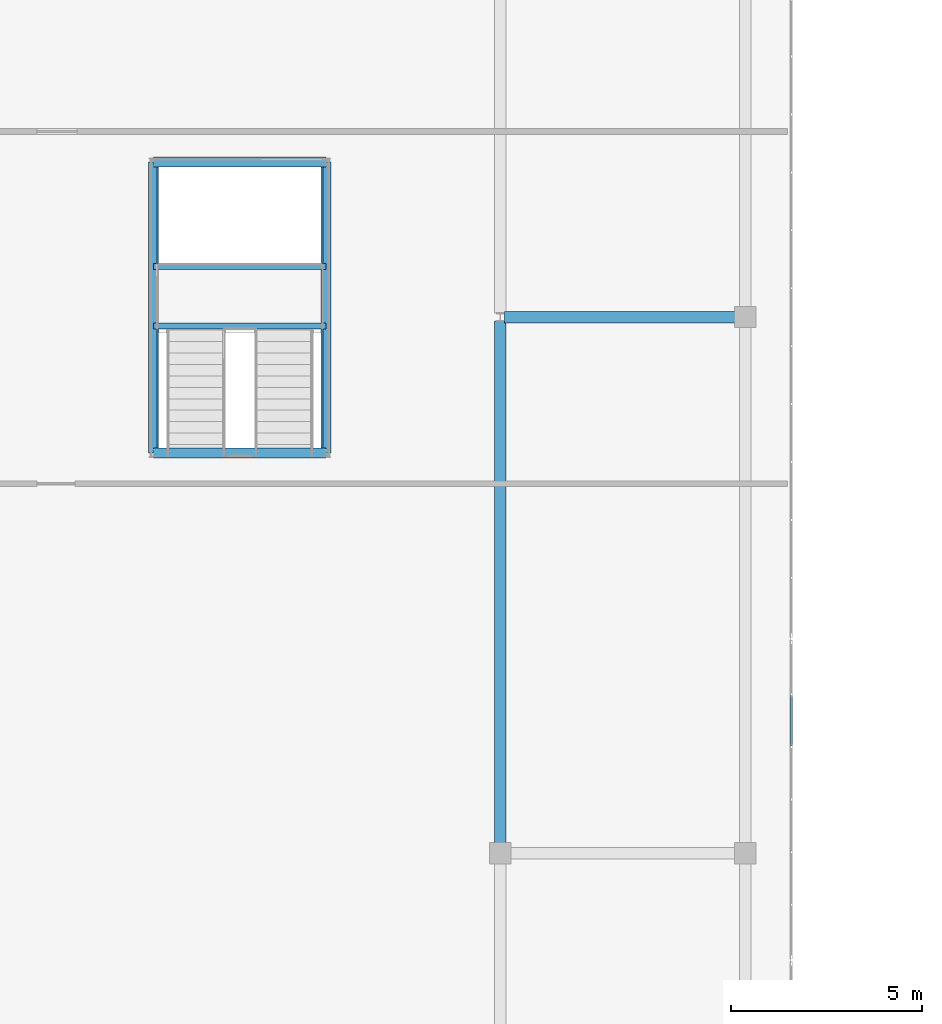
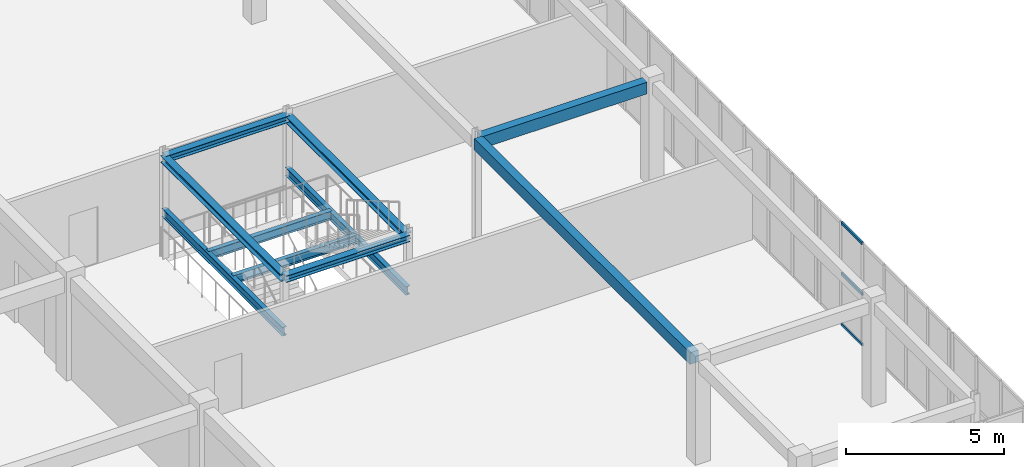
# One storey, part 43 of 140: 10 beams, 3 members, 1 element without a shape of its own.
"""IFC4 building model written with IfcOpenShell, lengths in metres."""

from ifc_helpers import new_model, si_unit, direction, frame, origin, origin_2d, place, context, subcontext, project, spatial, rectangle, hollow_rectangle, i_section, extrude, material, layer, layer_set, material_profile, profile_set, type_object, element, aggregate, save


model = new_model("IFC4")

# Units and contexts
model_context = context("Model", 3, precision=1e-05, world=origin(), true_north=direction((0.0, 1.0)))
body_context = subcontext(model_context, "Body", "Model", "MODEL_VIEW")
ifc_project = project(units=[si_unit("LENGTHUNIT", "METRE"), si_unit("AREAUNIT", "SQUARE_METRE"), si_unit("VOLUMEUNIT", "CUBIC_METRE"), si_unit("PLANEANGLEUNIT", "RADIAN"), si_unit("MASSUNIT", "GRAM", prefix="KILO")], contexts=[model_context])

# Site, building, storey
site_placement = place(None, origin())
site = spatial("IfcSite", under=ifc_project, at=site_placement, CompositionType="ELEMENT")
building_placement = place(site_placement, origin())
building = spatial("IfcBuilding", under=site, at=building_placement, Name="Trelvath General Hospital", CompositionType="ELEMENT")
storey_placement = place(building_placement, frame((0.0, 0.0, 16.199951171875)))
storey = spatial("IfcBuildingStorey", under=building, at=storey_placement, Name="L04", CompositionType="ELEMENT", Elevation=16.199951171875)

# Beams
ifc_material_1 = material(Name="Concrete C35/45", Category="concrete")
ifc_material_profile_1 = material_profile(ifc_material_1, rectangle(XDim=0.300048828125, YDim=0.449951171875, at=origin_2d()), Name="RCB300x450")
ifc_profile_set_1 = profile_set([ifc_material_profile_1], Name="Concrete C35/45")
beam_type_1 = type_object("IfcBeamType", Name="Beam RC300x450", PredefinedType="BEAM", material=ifc_profile_set_1)
beam_1_placement = place(storey_placement, frame((107.305908203125, 58.800048828125, 3.735107421875), z_axis=(1.0, 0.0, 0.0), x_axis=(0.0, 1.0, 0.0)))
element("IfcBeam", 1, at=beam_1_placement, inside=storey, type_object=beam_type_1, Name="Cube Interior Ring Beam CUBE-E-T1 L04", PredefinedType="BEAM", context=body_context, shape_type="SweptSolid", body=[
    extrude(rectangle(XDim=0.300048828125, YDim=0.449951171875, at=origin_2d()), origin(), (0.0, 0.0, 1.0), 6.023193359375),
])
beam_2_placement = place(storey_placement, frame((107.199951171875, 45.071044921875, 3.735107421875), z_axis=(0.0, 1.0, 0.0), x_axis=(-1.0, 0.0, 0.0)))
element("IfcBeam", 2, at=beam_2_placement, inside=storey, type_object=beam_type_1, Name="Cube Interior Ring Beam CUBE-E-T1 L04", PredefinedType="BEAM", context=body_context, shape_type="SweptSolid", body=[
    extrude(rectangle(XDim=0.300048828125, YDim=0.449951171875, at=origin_2d()), origin(), (0.0, 0.0, 1.0), 13.623046875),
])

# Curtain wall, members
ifc_material_2 = material(Name="Anodised aluminium and low-E glass", Category="aluminium")
ifc_layer = layer(ifc_material_2, 0.139892578125)
ifc_layer_set = layer_set([ifc_layer], Name="Anodised aluminium and low-E glass")
curtain_wall_type = type_object("IfcCurtainWallType", Name="CW CrystalCube 824 396 14", PredefinedType="USERDEFINED", material=ifc_layer_set)
curtain_wall_placement = place(storey_placement, origin())
curtain_wall = element("IfcCurtainWall", 3, at=curtain_wall_placement, inside=storey, type_object=curtain_wall_type, Name="Crystal Cube Curtain Wall CUBE-E-T1 E2 L04", ObjectType="Unitised Glazed Curtain Wall", PredefinedType="USERDEFINED")
ifc_material_3 = material(Name="Anodised aluminium", Category="aluminium")
ifc_material_profile_2 = material_profile(ifc_material_3, hollow_rectangle(XDim=0.06005859375, YDim=0.110107421875, WallThickness=0.00390625, at=origin_2d()), Name="RHS60x110x4")
ifc_profile_set_2 = profile_set([ifc_material_profile_2], Name="Anodised aluminium")
member_type = type_object("IfcMemberType", Name="CurtainTransom 60x110", PredefinedType="USERDEFINED", material=ifc_profile_set_2)
member_1_placement = place(storey_placement, frame((114.800048828125, 48.916748046875, 0.030029296875), z_axis=(0.0, -1.0, 0.0), x_axis=(1.0, 0.0, 0.0)))
member_1 = element("IfcMember", 4, at=member_1_placement, type_object=member_type, Name="CW-290 transom 2.1", ObjectType="TRANSOM", PredefinedType="USERDEFINED", context=body_context, shape_type="SweptSolid", body=[
    extrude(hollow_rectangle(XDim=0.06005859375, YDim=0.110107421875, WallThickness=0.00390625, at=origin_2d()), origin(), (0.0, 0.0, 1.0), 1.3134765625),
])
member_2_placement = place(storey_placement, frame((114.800048828125, 48.916748046875, 1.97998046875), z_axis=(0.0, -1.0, 0.0), x_axis=(1.0, 0.0, 0.0)))
member_2 = element("IfcMember", 5, at=member_2_placement, type_object=member_type, Name="CW-290 transom 2.2", ObjectType="TRANSOM", PredefinedType="USERDEFINED", context=body_context, shape_type="SweptSolid", body=[
    extrude(hollow_rectangle(XDim=0.06005859375, YDim=0.110107421875, WallThickness=0.00390625, at=origin_2d()), origin(), (0.0, 0.0, 1.0), 1.3134765625),
])
member_3_placement = place(storey_placement, frame((114.800048828125, 48.916748046875, 3.929931640625), z_axis=(0.0, -1.0, 0.0), x_axis=(1.0, 0.0, 0.0)))
member_3 = element("IfcMember", 6, at=member_3_placement, type_object=member_type, Name="CW-290 transom 2.3", ObjectType="TRANSOM", PredefinedType="USERDEFINED", context=body_context, shape_type="SweptSolid", body=[
    extrude(hollow_rectangle(XDim=0.06005859375, YDim=0.110107421875, WallThickness=0.00390625, at=origin_2d()), origin(), (0.0, 0.0, 1.0), 1.3134765625),
])
aggregate(curtain_wall, [member_1, member_2, member_3])

# Beams
ifc_material_4 = material(Name="Steel S355", Category="steel")
ifc_material_profile_3 = material_profile(ifc_material_4, i_section(OverallWidth=0.260009765625, OverallDepth=0.25, WebThickness=0.007568359375, FlangeThickness=0.012451171875, at=origin_2d()), Name="HEA260")
ifc_profile_set_3 = profile_set([ifc_material_profile_3], Name="Steel S355")
beam_type_2 = type_object("IfcBeamType", Name="RingBeam HEA260", PredefinedType="BEAM", material=ifc_profile_set_3)
for number, where, z_axis, x_axis, name in (
    (7, (98.14990234375, 55.25, 3.81494140625), (1.0, 0.0, 0.0), (0.0, 1.0, 0.0), "Atrium Ring Beam CUBE-E S L04"),
    (8, (98.14990234375, 62.85009765625, 3.81494140625), (1.0, 0.0, 0.0), (0.0, 1.0, 0.0), "Atrium Ring Beam CUBE-E N L04"),
):
    element("IfcBeam", number, at=place(storey_placement, frame(where, z_axis=z_axis, x_axis=x_axis)), inside=storey, type_object=beam_type_2, Name=name, PredefinedType="BEAM", context=body_context, shape_type="SweptSolid", body=[
        extrude(i_section(OverallWidth=0.260009765625, OverallDepth=0.25, WebThickness=0.007568359375, FlangeThickness=0.012451171875, at=origin_2d()), origin(), (0.0, 0.0, 1.0), 4.5),
    ])
for number, where, z_axis, x_axis, name in (
    (9, (98.14990234375, 55.25, 3.81494140625), (0.0, 1.0, 0.0), (-1.0, 0.0, 0.0), "Atrium Ring Beam CUBE-E W L04"),
    (10, (102.64990234375, 55.25, 3.81494140625), (0.0, 1.0, 0.0), (-1.0, 0.0, 0.0), "Atrium Ring Beam CUBE-E E L04"),
):
    element("IfcBeam", number, at=place(storey_placement, frame(where, z_axis=z_axis, x_axis=x_axis)), inside=storey, type_object=beam_type_2, Name=name, PredefinedType="BEAM", context=body_context, shape_type="SweptSolid", body=[
        extrude(i_section(OverallWidth=0.260009765625, OverallDepth=0.25, WebThickness=0.007568359375, FlangeThickness=0.012451171875, at=origin_2d()), origin(), (0.0, 0.0, 1.0), 7.60009765625),
    ])
ifc_material_5 = material(Name="Steel S355", Category="steel")
ifc_material_profile_4 = material_profile(ifc_material_5, i_section(OverallWidth=0.159912109375, OverallDepth=0.330078125, WebThickness=0.007568359375, FlangeThickness=0.011474609375, at=origin_2d()), Name="IPE330")
ifc_profile_set_4 = profile_set([ifc_material_profile_4], Name="Steel S355")
beam_type_3 = type_object("IfcBeamType", Name="StairLandingBeam IPE330", PredefinedType="BEAM", material=ifc_profile_set_4)
for number, where, z_axis, x_axis, name in (
    (11, (98.14990234375, 55.25, 1.735107421875), (0.0, 1.0, 0.0), (-1.0, 0.0, 0.0), "Cube Stair Stringer Beam CUBE-E W L04"),
    (12, (102.64990234375, 55.25, 1.735107421875), (0.0, 1.0, 0.0), (-1.0, 0.0, 0.0), "Cube Stair Stringer Beam CUBE-E E L04"),
):
    element("IfcBeam", number, at=place(storey_placement, frame(where, z_axis=z_axis, x_axis=x_axis)), inside=storey, type_object=beam_type_3, Name=name, PredefinedType="BEAM", context=body_context, shape_type="SweptSolid", body=[
        extrude(i_section(OverallWidth=0.159912109375, OverallDepth=0.330078125, WebThickness=0.007568359375, FlangeThickness=0.011474609375, at=origin_2d()), origin(), (0.0, 0.0, 1.0), 7.60009765625),
    ])
for number, where, z_axis, x_axis, name in (
    (13, (98.14990234375, 58.570068359375, 1.735107421875), (1.0, 0.0, 0.0), (0.0, 1.0, 0.0), "Cube Landing Cross Beam CUBE-E S L04"),
    (14, (98.14990234375, 60.1201171875, 1.735107421875), (1.0, 0.0, 0.0), (0.0, 1.0, 0.0), "Cube Landing Cross Beam CUBE-E N L04"),
):
    element("IfcBeam", number, at=place(storey_placement, frame(where, z_axis=z_axis, x_axis=x_axis)), inside=storey, type_object=beam_type_3, Name=name, PredefinedType="BEAM", context=body_context, shape_type="SweptSolid", body=[
        extrude(i_section(OverallWidth=0.159912109375, OverallDepth=0.330078125, WebThickness=0.007568359375, FlangeThickness=0.011474609375, at=origin_2d()), origin(), (0.0, 0.0, 1.0), 4.5),
    ])

save(model, "model.ifc")
